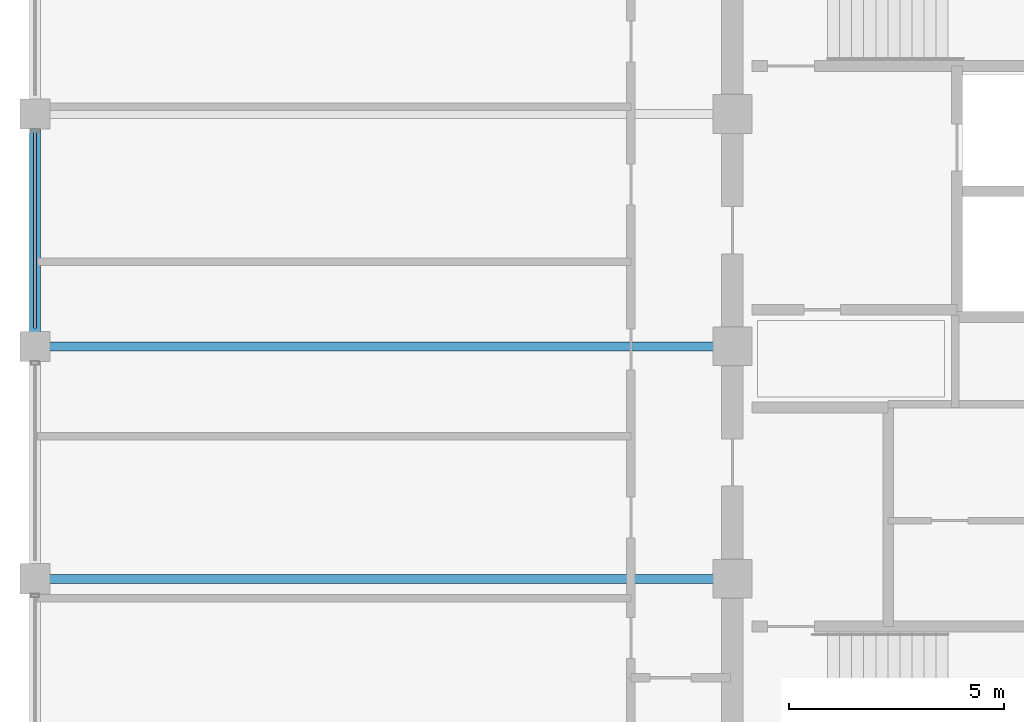
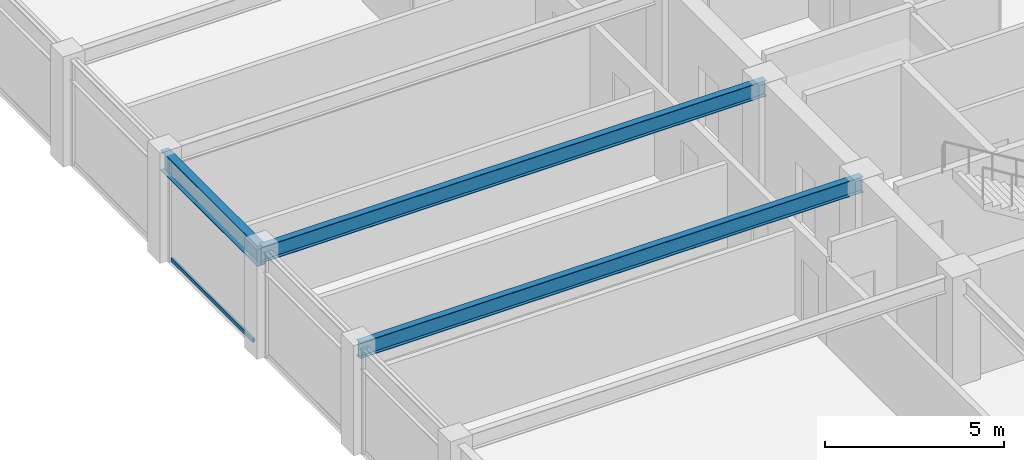
# One storey, part 9 of 30: 3 beams, 1 member, 1 element without a shape of its own.
"""IFC4 building model written with IfcOpenShell, lengths in metres."""

import ifcopenshell
import ifcopenshell.guid

model = None  # the IFC model being written
_history = None  # IfcOwnerHistory: only IFC2X3 demands one
_inside = {}  # id of a spatial element -> (the spatial element, [elements in it])
_under = {}  # id of a project, library or spatial element -> (it, [spatial elements below it])
_declared = {}  # id of a project -> (the project, [libraries it declares])
_typed = {}  # id of a type object -> (the type object, [elements of that type])
_made_of = {}  # id of a material, layer set ... -> (it, [elements and type objects made of it])


def new_model(schema):
    """Start an empty IFC model of exactly this schema.

    Asked for "IFC4X3", IfcOpenShell would pick the latest addendum, in which some entities
    have other attributes; the version numbers below select the first issue.
    IFC2X3 requires an IfcOwnerHistory on every rooted entity: one is made here for all.
    """
    global model, _history
    if schema == "IFC4X3":
        model = ifcopenshell.file(schema_version=(4, 3, 0, 0))
    else:
        model = ifcopenshell.file(schema=schema)
    _inside.clear()
    _under.clear()
    _declared.clear()
    _typed.clear()
    _made_of.clear()
    _history = None
    if model.schema == "IFC2X3":
        org = make("IfcOrganization", Name="unknown")
        user = make(
            "IfcPersonAndOrganization",
            ThePerson=make("IfcPerson", FamilyName="unknown"),
            TheOrganization=org,
        )
        app = make(
            "IfcApplication",
            ApplicationDeveloper=org,
            Version="unknown",
            ApplicationFullName="unknown",
            ApplicationIdentifier="unknown",
        )
        _history = make(
            "IfcOwnerHistory",
            OwningUser=user,
            OwningApplication=app,
            ChangeAction="ADDED",
            CreationDate=0,
        )
    return model


def make(cls, **values):
    """One entity of the class cls with the attributes given. An attribute that is None is left unset."""
    return model.create_entity(
        cls, **{name: value for name, value in values.items() if value is not None}
    )


def rooted(cls, **values):
    """An entity with a GlobalId (a new one), such as an element, a storey or a relation."""
    return make(cls, GlobalId=ifcopenshell.guid.new(), OwnerHistory=_history, **values)


def si_unit(unit_type, name, prefix=None):
    """IfcSIUnit, for example si_unit("LENGTHUNIT", "METRE", prefix="MILLI")."""
    return make("IfcSIUnit", UnitType=unit_type, Prefix=prefix, Name=name)


def assignment(units):
    """IfcUnitAssignment: the units of a project."""
    return None if units is None else make("IfcUnitAssignment", Units=units)


def point(xyz):
    """IfcCartesianPoint."""
    return None if xyz is None else make("IfcCartesianPoint", Coordinates=xyz)


def direction(xyz):
    """IfcDirection."""
    return None if xyz is None else make("IfcDirection", DirectionRatios=xyz)


def frame(location, z_axis=None, x_axis=None):
    """IfcAxis2Placement3D, a coordinate frame: its origin and axes. An axis left out is left unset."""
    return make(
        "IfcAxis2Placement3D",
        Location=point(location),
        Axis=direction(z_axis),
        RefDirection=direction(x_axis),
    )


def frame_2d(location, x_axis=None):
    """IfcAxis2Placement2D, a coordinate frame in the plane: its origin and x axis."""
    return make(
        "IfcAxis2Placement2D", Location=point(location), RefDirection=direction(x_axis)
    )


def origin():
    """The frame at (0, 0, 0) with its axes left unset."""
    return frame((0.0, 0.0, 0.0))


def origin_2d():
    """The frame at (0, 0) in the plane with its x axis left unset."""
    return frame_2d((0.0, 0.0))


def place(relative_to, where):
    """IfcLocalPlacement: puts the frame where relative to a parent placement (None: the world)."""
    return make(
        "IfcLocalPlacement", PlacementRelTo=relative_to, RelativePlacement=where
    )


def context(
    kind, dimensions, precision=None, world=None, true_north=None, identifier=None
):
    """IfcGeometricRepresentationContext, for example the 3D "Model" context."""
    return make(
        "IfcGeometricRepresentationContext",
        ContextIdentifier=identifier,
        ContextType=kind,
        CoordinateSpaceDimension=dimensions,
        Precision=precision,
        WorldCoordinateSystem=world,
        TrueNorth=true_north,
    )


def subcontext(parent, identifier, kind, view, scale=None):
    """IfcGeometricRepresentationSubContext, for example "Body" below "Model"."""
    return make(
        "IfcGeometricRepresentationSubContext",
        ContextIdentifier=identifier,
        ContextType=kind,
        ParentContext=parent,
        TargetScale=scale,
        TargetView=view,
    )


def project(units=None, contexts=None):
    """IfcProject with its units and contexts."""
    return rooted(
        "IfcProject",
        Name="project",
        RepresentationContexts=contexts,
        UnitsInContext=assignment(units),
    )


def spatial(cls, under=None, at=None, **own):
    """A site, building, storey or space (cls), placed at a placement, below another one or the project."""
    s = rooted(cls, ObjectPlacement=at, **own)
    if under is not None:
        _under.setdefault(under.id(), (under, []))[1].append(s)
    return s


def profile(cls, at=None, kind="AREA", **sizes):
    """A parametric profile (cls). Its sizes go by their IFC names, for example OverallWidth=200.0."""
    return make(cls, ProfileType=kind, Position=at, **sizes)


def hollow_rectangle(**sizes):
    """IfcRectangleHollowProfileDef."""
    return profile("IfcRectangleHollowProfileDef", **sizes)


def i_section(**sizes):
    """IfcIShapeProfileDef."""
    return profile("IfcIShapeProfileDef", **sizes)


def extrude(swept, where, along, depth):
    """IfcExtrudedAreaSolid: the profile swept, set in the frame where, extruded along a direction by depth."""
    return make(
        "IfcExtrudedAreaSolid",
        SweptArea=swept,
        Position=where,
        ExtrudedDirection=direction(along),
        Depth=depth,
    )


def shape(context_of_items, identifier, shape_type, items):
    """IfcShapeRepresentation: the items that make up one representation, for example the "Body"."""
    return make(
        "IfcShapeRepresentation",
        ContextOfItems=context_of_items,
        RepresentationIdentifier=identifier,
        RepresentationType=shape_type,
        Items=items,
    )


def material(Name=None, Category=None):
    """IfcMaterial."""
    return make("IfcMaterial", Name=Name, Category=Category)


def layer(
    of_material, thickness, ventilated=None, Name=None, Category=None, Priority=None
):
    """IfcMaterialLayer: one layer of a wall or slab, of a material (None: an air gap)."""
    return make(
        "IfcMaterialLayer",
        Material=of_material,
        LayerThickness=thickness,
        IsVentilated=ventilated,
        Name=Name,
        Category=Category,
        Priority=Priority,
    )


def layer_set(layers, Name=None):
    """IfcMaterialLayerSet."""
    return make("IfcMaterialLayerSet", MaterialLayers=layers, LayerSetName=Name)


def material_profile(
    of_material, cross_section, Name=None, Category=None, Priority=None
):
    """IfcMaterialProfile: a cross section and its material."""
    return make(
        "IfcMaterialProfile",
        Name=Name,
        Material=of_material,
        Profile=cross_section,
        Priority=Priority,
        Category=Category,
    )


def profile_set(profiles, Name=None, composite=None):
    """IfcMaterialProfileSet."""
    return make(
        "IfcMaterialProfileSet",
        Name=Name,
        MaterialProfiles=profiles,
        CompositeProfile=composite,
    )


def made_of(thing, what):
    """Note that an element or type object is made of a material, layer set ...; save() writes the relation."""
    if what is not None:
        _made_of.setdefault(what.id(), (what, []))[1].append(thing)
    return thing


def type_object(cls, material=None, **own):
    """A type object (cls), such as IfcWallType, which elements share."""
    return made_of(rooted(cls, **own), material)


def element(
    cls,
    number,
    at=None,
    inside=None,
    cuts=None,
    type_object=None,
    material=None,
    context=None,
    identifier="Body",
    shape_type=None,
    held_by="IfcProductDefinitionShape",
    body=None,
    shapes=None,
    **own,
):
    """One element of the class cls, such as IfcWall. Its Tag is "e" and its number.

    at: its placement. inside: the storey or other place that contains it. cuts: it is an
    opening in that element (IfcRelVoidsElement). A single representation is given by context,
    identifier, shape_type and body (its items); several are given by shapes. held_by: the class
    of the entity that holds the representations. save() writes the other relations.
    """
    e = rooted(cls, Tag="e%d" % number, ObjectPlacement=at, **own)
    if body is not None:
        shapes = [shape(context, identifier, shape_type, body)]
    if shapes is not None:
        e.Representation = make(held_by, Representations=shapes)
    if inside is not None:
        _inside.setdefault(inside.id(), (inside, []))[1].append(e)
    if cuts is not None:
        rooted(
            "IfcRelVoidsElement", RelatingBuildingElement=cuts, RelatedOpeningElement=e
        )
    if type_object is not None:
        _typed.setdefault(type_object.id(), (type_object, []))[1].append(e)
    return made_of(e, material)


def aggregate(whole, parts):
    """IfcRelAggregates: a whole, such as a stair, and the parts it consists of."""
    return rooted("IfcRelAggregates", RelatingObject=whole, RelatedObjects=parts)


def save(model, path):
    """Write the relations noted so far, then the file.

    IfcRelAggregates (storeys below a building ...), IfcRelContainedInSpatialStructure (elements
    in a storey), IfcRelDefinesByType, IfcRelAssociatesMaterial and IfcRelDeclares: one each for
    every whole, place, type object, material and project.
    """
    for whole, parts in _under.values():
        aggregate(whole, parts)
    for where, things in _inside.values():
        rooted(
            "IfcRelContainedInSpatialStructure",
            RelatedElements=things,
            RelatingStructure=where,
        )
    for kind, things in _typed.values():
        rooted("IfcRelDefinesByType", RelatedObjects=things, RelatingType=kind)
    for what, things in _made_of.values():
        rooted("IfcRelAssociatesMaterial", RelatedObjects=things, RelatingMaterial=what)
    for by, libraries in _declared.values():
        rooted("IfcRelDeclares", RelatingContext=by, RelatedDefinitions=libraries)
    model.write(path)


model = new_model("IFC4")

# Units and contexts
model_context = context("Model", 3, precision=1e-05, world=origin(), true_north=direction((0.0, 1.0)))
body_context = subcontext(model_context, "Body", "Model", "MODEL_VIEW")
ifc_project = project(units=[si_unit("LENGTHUNIT", "METRE"), si_unit("AREAUNIT", "SQUARE_METRE"), si_unit("VOLUMEUNIT", "CUBIC_METRE"), si_unit("PLANEANGLEUNIT", "RADIAN"), si_unit("MASSUNIT", "GRAM", prefix="KILO")], contexts=[model_context])

# Site, building, storey
site_placement = place(None, origin())
site = spatial("IfcSite", under=ifc_project, at=site_placement, CompositionType="ELEMENT")
building_placement = place(site_placement, origin())
building = spatial("IfcBuilding", under=site, at=building_placement, Name="Surkhivell Harbour Commons", CompositionType="ELEMENT")
storey_placement = place(building_placement, frame((0.0, 0.0, 296.25)))
storey = spatial("IfcBuildingStorey", under=building, at=storey_placement, Name="L77", CompositionType="ELEMENT", Elevation=296.25)

# Beams
ifc_material_1 = material(Name="Steel S355", Category="steel")
ifc_material_profile_1 = material_profile(ifc_material_1, i_section(OverallWidth=0.2099609375, OverallDepth=0.537109375, WebThickness=0.0107421875, FlangeThickness=0.017333984375, at=origin_2d()), Name="UB533x210x101")
ifc_profile_set_1 = profile_set([ifc_material_profile_1], Name="Steel S355")
beam_type_1 = type_object("IfcBeamType", Name="BM-GRD-533B", PredefinedType="BEAM", material=ifc_profile_set_1)
for number, where, z_axis, x_axis, name in (
    (1, (-27.0, -5.39990234375, 3.301513671875), (1.0, 0.0, 0.0), (0.0, 1.0, 0.0), "L77 Floor Girder (-27.0,-5.4)"),
    (2, (-27.0, 0.0, 3.301513671875), (1.0, 0.0, 0.0), (0.0, 1.0, 0.0), "L77 Floor Girder (-27.0,0.0)"),
):
    element("IfcBeam", number, at=place(storey_placement, frame(where, z_axis=z_axis, x_axis=x_axis)), inside=storey, type_object=beam_type_1, Name=name, PredefinedType="BEAM", context=body_context, shape_type="SweptSolid", body=[
        extrude(i_section(OverallWidth=0.2099609375, OverallDepth=0.537109375, WebThickness=0.0107421875, FlangeThickness=0.017333984375, at=origin_2d()), origin(), (0.0, 0.0, 1.0), 16.199951171875),
    ])
ifc_material_profile_2 = material_profile(ifc_material_1, i_section(OverallWidth=0.256103515625, OverallDepth=0.693115234375, WebThickness=0.014404296875, FlangeThickness=0.023681640625, at=origin_2d()), Name="UB686x254x170")
ifc_profile_set_2 = profile_set([ifc_material_profile_2], Name="Steel S355")
beam_type_2 = type_object("IfcBeamType", Name="BM-SPN-686", PredefinedType="SPANDREL", material=ifc_profile_set_2)
beam_placement = place(storey_placement, frame((-27.0, 0.0, 3.223388671875), z_axis=(0.0, 1.0, 0.0), x_axis=(-1.0, 0.0, 0.0)))
element("IfcBeam", 3, at=beam_placement, inside=storey, type_object=beam_type_2, Name="L77 Tube Spandrel (-27.0,0.0)", PredefinedType="SPANDREL", context=body_context, shape_type="SweptSolid", body=[
    extrude(i_section(OverallWidth=0.256103515625, OverallDepth=0.693115234375, WebThickness=0.014404296875, FlangeThickness=0.023681640625, at=origin_2d()), origin(), (0.0, 0.0, 1.0), 5.39990234375),
])

# Curtain wall, member
ifc_material_2 = material(Name="Anodised pale-metal aluminium and insulated glazing", Category="aluminium")
ifc_layer = layer(ifc_material_2, 0.175048828125)
ifc_layer_set = layer_set([ifc_layer], Name="Anodised pale-metal aluminium and insulated glazing")
curtain_wall_type = type_object("IfcCurtainWallType", Name="CW-SYS-Z4", PredefinedType="NOTDEFINED", material=ifc_layer_set)
curtain_wall_placement = place(storey_placement, origin())
curtain_wall = element("IfcCurtainWall", 4, at=curtain_wall_placement, inside=storey, type_object=curtain_wall_type, Name="L77 Curtain Wall CW-L77-E12S1", PredefinedType="NOTDEFINED")
ifc_material_3 = material(Name="Champagne anodised aluminium alloy 6063-T6", Category="aluminium")
ifc_material_profile_3 = material_profile(ifc_material_3, hollow_rectangle(XDim=0.070068359375, YDim=0.1298828125, WallThickness=0.00341796875, at=origin_2d()), Name="ALU-TRAN-70x130")
ifc_profile_set_3 = profile_set([ifc_material_profile_3], Name="Champagne anodised aluminium alloy 6063-T6")
member_type = type_object("IfcMemberType", Name="CWT-130", PredefinedType="USERDEFINED", material=ifc_profile_set_3)
member_placement = place(storey_placement, frame((-27.0, 4.972900390625, 0.06494140625), z_axis=(0.0, -1.0, 0.0), x_axis=(1.0, 0.0, 0.0)))
member = element("IfcMember", 5, at=member_placement, type_object=member_type, Name="CW-Z4 transom 4.1", ObjectType="TRANSOM", PredefinedType="USERDEFINED", context=body_context, shape_type="SweptSolid", body=[
    extrude(hollow_rectangle(XDim=0.070068359375, YDim=0.1298828125, WallThickness=0.00341796875, at=origin_2d()), origin(), (0.0, 0.0, 1.0), 4.5458984375),
])
aggregate(curtain_wall, [member])

save(model, "model.ifc")
